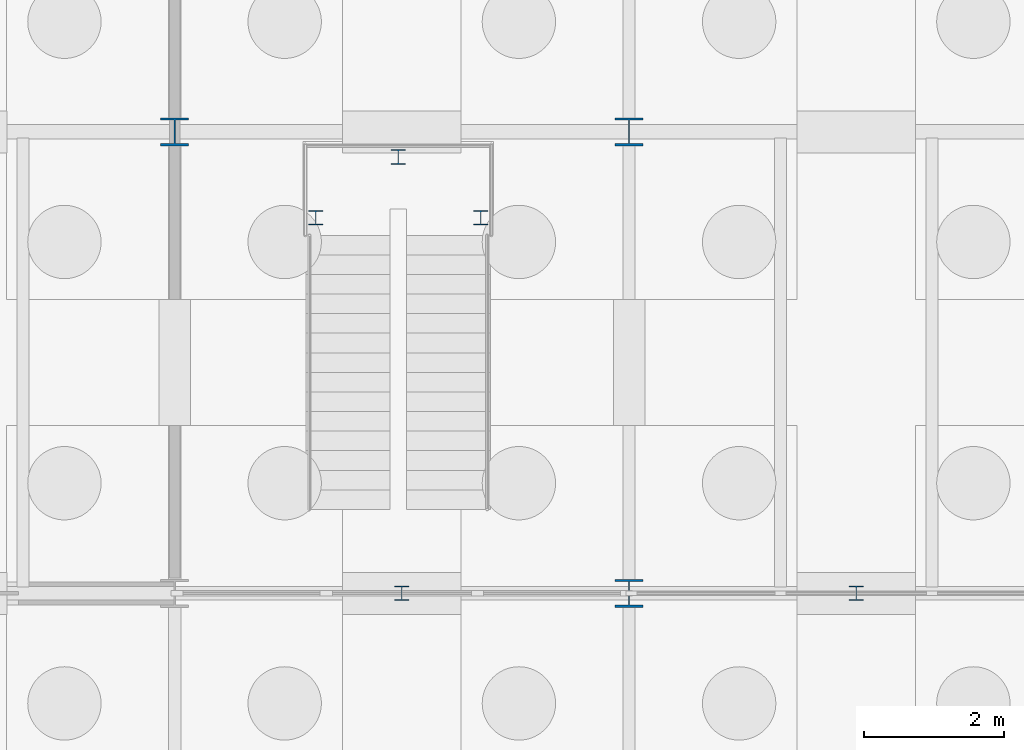
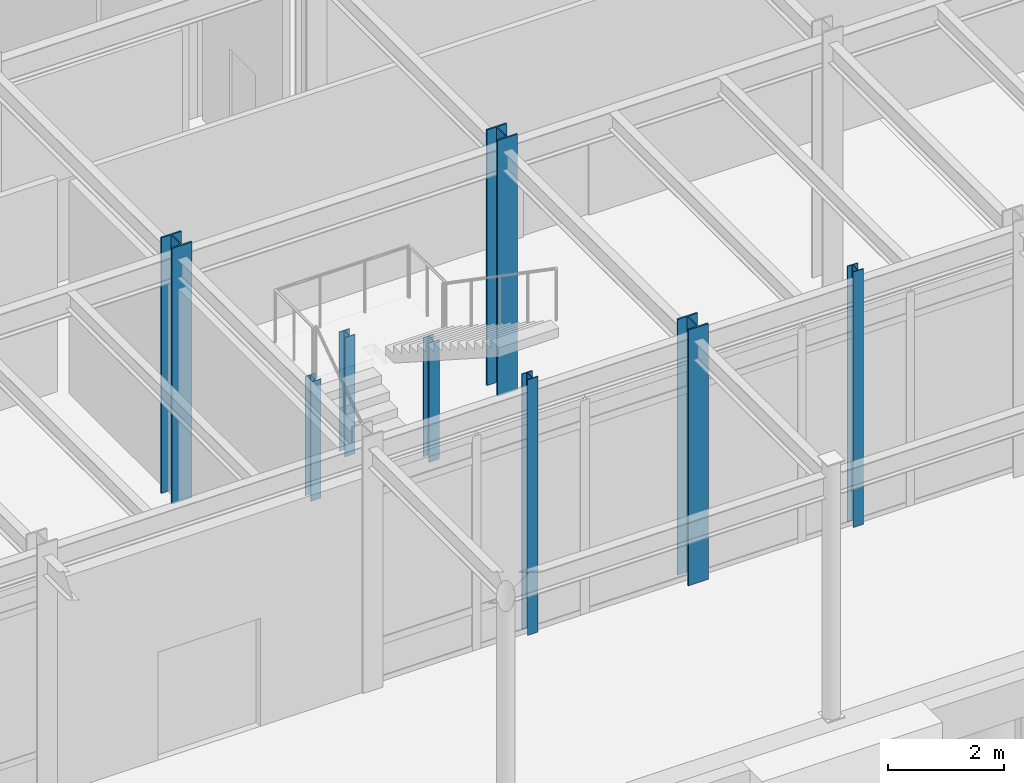
# One storey, part 16 of 82: 8 columns.
"""IFC4 building model written with IfcOpenShell, lengths in metres."""

import ifcopenshell
import ifcopenshell.guid

model = None  # the IFC model being written
_history = None  # IfcOwnerHistory: only IFC2X3 demands one
_inside = {}  # id of a spatial element -> (the spatial element, [elements in it])
_under = {}  # id of a project, library or spatial element -> (it, [spatial elements below it])
_declared = {}  # id of a project -> (the project, [libraries it declares])
_typed = {}  # id of a type object -> (the type object, [elements of that type])
_made_of = {}  # id of a material, layer set ... -> (it, [elements and type objects made of it])


def new_model(schema):
    """Start an empty IFC model of exactly this schema.

    Asked for "IFC4X3", IfcOpenShell would pick the latest addendum, in which some entities
    have other attributes; the version numbers below select the first issue.
    IFC2X3 requires an IfcOwnerHistory on every rooted entity: one is made here for all.
    """
    global model, _history
    if schema == "IFC4X3":
        model = ifcopenshell.file(schema_version=(4, 3, 0, 0))
    else:
        model = ifcopenshell.file(schema=schema)
    _inside.clear()
    _under.clear()
    _declared.clear()
    _typed.clear()
    _made_of.clear()
    _history = None
    if model.schema == "IFC2X3":
        org = make("IfcOrganization", Name="unknown")
        user = make(
            "IfcPersonAndOrganization",
            ThePerson=make("IfcPerson", FamilyName="unknown"),
            TheOrganization=org,
        )
        app = make(
            "IfcApplication",
            ApplicationDeveloper=org,
            Version="unknown",
            ApplicationFullName="unknown",
            ApplicationIdentifier="unknown",
        )
        _history = make(
            "IfcOwnerHistory",
            OwningUser=user,
            OwningApplication=app,
            ChangeAction="ADDED",
            CreationDate=0,
        )
    return model


def make(cls, **values):
    """One entity of the class cls with the attributes given. An attribute that is None is left unset."""
    return model.create_entity(
        cls, **{name: value for name, value in values.items() if value is not None}
    )


def rooted(cls, **values):
    """An entity with a GlobalId (a new one), such as an element, a storey or a relation."""
    return make(cls, GlobalId=ifcopenshell.guid.new(), OwnerHistory=_history, **values)


def si_unit(unit_type, name, prefix=None):
    """IfcSIUnit, for example si_unit("LENGTHUNIT", "METRE", prefix="MILLI")."""
    return make("IfcSIUnit", UnitType=unit_type, Prefix=prefix, Name=name)


def assignment(units):
    """IfcUnitAssignment: the units of a project."""
    return None if units is None else make("IfcUnitAssignment", Units=units)


def point(xyz):
    """IfcCartesianPoint."""
    return None if xyz is None else make("IfcCartesianPoint", Coordinates=xyz)


def direction(xyz):
    """IfcDirection."""
    return None if xyz is None else make("IfcDirection", DirectionRatios=xyz)


def frame(location, z_axis=None, x_axis=None):
    """IfcAxis2Placement3D, a coordinate frame: its origin and axes. An axis left out is left unset."""
    return make(
        "IfcAxis2Placement3D",
        Location=point(location),
        Axis=direction(z_axis),
        RefDirection=direction(x_axis),
    )


def frame_2d(location, x_axis=None):
    """IfcAxis2Placement2D, a coordinate frame in the plane: its origin and x axis."""
    return make(
        "IfcAxis2Placement2D", Location=point(location), RefDirection=direction(x_axis)
    )


def origin():
    """The frame at (0, 0, 0) with its axes left unset."""
    return frame((0.0, 0.0, 0.0))


def origin_2d():
    """The frame at (0, 0) in the plane with its x axis left unset."""
    return frame_2d((0.0, 0.0))


def place(relative_to, where):
    """IfcLocalPlacement: puts the frame where relative to a parent placement (None: the world)."""
    return make(
        "IfcLocalPlacement", PlacementRelTo=relative_to, RelativePlacement=where
    )


def context(
    kind, dimensions, precision=None, world=None, true_north=None, identifier=None
):
    """IfcGeometricRepresentationContext, for example the 3D "Model" context."""
    return make(
        "IfcGeometricRepresentationContext",
        ContextIdentifier=identifier,
        ContextType=kind,
        CoordinateSpaceDimension=dimensions,
        Precision=precision,
        WorldCoordinateSystem=world,
        TrueNorth=true_north,
    )


def subcontext(parent, identifier, kind, view, scale=None):
    """IfcGeometricRepresentationSubContext, for example "Body" below "Model"."""
    return make(
        "IfcGeometricRepresentationSubContext",
        ContextIdentifier=identifier,
        ContextType=kind,
        ParentContext=parent,
        TargetScale=scale,
        TargetView=view,
    )


def project(units=None, contexts=None):
    """IfcProject with its units and contexts."""
    return rooted(
        "IfcProject",
        Name="project",
        RepresentationContexts=contexts,
        UnitsInContext=assignment(units),
    )


def spatial(cls, under=None, at=None, **own):
    """A site, building, storey or space (cls), placed at a placement, below another one or the project."""
    s = rooted(cls, ObjectPlacement=at, **own)
    if under is not None:
        _under.setdefault(under.id(), (under, []))[1].append(s)
    return s


def profile(cls, at=None, kind="AREA", **sizes):
    """A parametric profile (cls). Its sizes go by their IFC names, for example OverallWidth=200.0."""
    return make(cls, ProfileType=kind, Position=at, **sizes)


def i_section(**sizes):
    """IfcIShapeProfileDef."""
    return profile("IfcIShapeProfileDef", **sizes)


def extrude(swept, where, along, depth):
    """IfcExtrudedAreaSolid: the profile swept, set in the frame where, extruded along a direction by depth."""
    return make(
        "IfcExtrudedAreaSolid",
        SweptArea=swept,
        Position=where,
        ExtrudedDirection=direction(along),
        Depth=depth,
    )


def shape(context_of_items, identifier, shape_type, items):
    """IfcShapeRepresentation: the items that make up one representation, for example the "Body"."""
    return make(
        "IfcShapeRepresentation",
        ContextOfItems=context_of_items,
        RepresentationIdentifier=identifier,
        RepresentationType=shape_type,
        Items=items,
    )


def material(Name=None, Category=None):
    """IfcMaterial."""
    return make("IfcMaterial", Name=Name, Category=Category)


def material_profile(
    of_material, cross_section, Name=None, Category=None, Priority=None
):
    """IfcMaterialProfile: a cross section and its material."""
    return make(
        "IfcMaterialProfile",
        Name=Name,
        Material=of_material,
        Profile=cross_section,
        Priority=Priority,
        Category=Category,
    )


def profile_set(profiles, Name=None, composite=None):
    """IfcMaterialProfileSet."""
    return make(
        "IfcMaterialProfileSet",
        Name=Name,
        MaterialProfiles=profiles,
        CompositeProfile=composite,
    )


def made_of(thing, what):
    """Note that an element or type object is made of a material, layer set ...; save() writes the relation."""
    if what is not None:
        _made_of.setdefault(what.id(), (what, []))[1].append(thing)
    return thing


def type_object(cls, material=None, **own):
    """A type object (cls), such as IfcWallType, which elements share."""
    return made_of(rooted(cls, **own), material)


def element(
    cls,
    number,
    at=None,
    inside=None,
    cuts=None,
    type_object=None,
    material=None,
    context=None,
    identifier="Body",
    shape_type=None,
    held_by="IfcProductDefinitionShape",
    body=None,
    shapes=None,
    **own,
):
    """One element of the class cls, such as IfcWall. Its Tag is "e" and its number.

    at: its placement. inside: the storey or other place that contains it. cuts: it is an
    opening in that element (IfcRelVoidsElement). A single representation is given by context,
    identifier, shape_type and body (its items); several are given by shapes. held_by: the class
    of the entity that holds the representations. save() writes the other relations.
    """
    e = rooted(cls, Tag="e%d" % number, ObjectPlacement=at, **own)
    if body is not None:
        shapes = [shape(context, identifier, shape_type, body)]
    if shapes is not None:
        e.Representation = make(held_by, Representations=shapes)
    if inside is not None:
        _inside.setdefault(inside.id(), (inside, []))[1].append(e)
    if cuts is not None:
        rooted(
            "IfcRelVoidsElement", RelatingBuildingElement=cuts, RelatedOpeningElement=e
        )
    if type_object is not None:
        _typed.setdefault(type_object.id(), (type_object, []))[1].append(e)
    return made_of(e, material)


def aggregate(whole, parts):
    """IfcRelAggregates: a whole, such as a stair, and the parts it consists of."""
    return rooted("IfcRelAggregates", RelatingObject=whole, RelatedObjects=parts)


def save(model, path):
    """Write the relations noted so far, then the file.

    IfcRelAggregates (storeys below a building ...), IfcRelContainedInSpatialStructure (elements
    in a storey), IfcRelDefinesByType, IfcRelAssociatesMaterial and IfcRelDeclares: one each for
    every whole, place, type object, material and project.
    """
    for whole, parts in _under.values():
        aggregate(whole, parts)
    for where, things in _inside.values():
        rooted(
            "IfcRelContainedInSpatialStructure",
            RelatedElements=things,
            RelatingStructure=where,
        )
    for kind, things in _typed.values():
        rooted("IfcRelDefinesByType", RelatedObjects=things, RelatingType=kind)
    for what, things in _made_of.values():
        rooted("IfcRelAssociatesMaterial", RelatedObjects=things, RelatingMaterial=what)
    for by, libraries in _declared.values():
        rooted("IfcRelDeclares", RelatingContext=by, RelatedDefinitions=libraries)
    model.write(path)


model = new_model("IFC4")

# Units and contexts
model_context = context("Model", 3, precision=1e-05, world=origin(), true_north=direction((0.0, 1.0)))
body_context = subcontext(model_context, "Body", "Model", "MODEL_VIEW")
ifc_project = project(units=[si_unit("LENGTHUNIT", "METRE"), si_unit("AREAUNIT", "SQUARE_METRE"), si_unit("VOLUMEUNIT", "CUBIC_METRE"), si_unit("PLANEANGLEUNIT", "RADIAN"), si_unit("MASSUNIT", "GRAM", prefix="KILO")], contexts=[model_context])

# Site, building, storey
site_placement = place(None, origin())
site = spatial("IfcSite", under=ifc_project, at=site_placement, CompositionType="ELEMENT")
building_placement = place(site_placement, origin())
building = spatial("IfcBuilding", under=site, at=building_placement, Name="Trelmorton Wharf Fire Station", CompositionType="ELEMENT")
storey_placement = place(building_placement, origin())
storey = spatial("IfcBuildingStorey", under=building, at=storey_placement, Name="L00", CompositionType="ELEMENT", Elevation=0.0)

# Columns
ifc_material = material(Name="Steel Grade 350", Category="steel")
ifc_material_profile_1 = material_profile(ifc_material, i_section(OverallWidth=0.205078125, OverallDepth=0.2099609375, WebThickness=0.00927734375, FlangeThickness=0.01416015625, FilletRadius=0.011474609375, at=origin_2d()), Name="200UC59.5")
ifc_profile_set_1 = profile_set([ifc_material_profile_1], Name="Steel Grade 350")
column_type_1 = type_object("IfcColumnType", Name="COL_200UC60", PredefinedType="COLUMN", material=ifc_profile_set_1)
for number, where, z_axis, x_axis, name in (
    (1, (119.02001953125, 13.169921875, 0.0), (0.0, 0.0, 1.0), (1.0, 0.0, 0.0), "COL-STS-04-1"),
    (2, (121.3798828125, 13.169921875, 0.0), (0.0, 0.0, 1.0), (1.0, 0.0, 0.0), "COL-STS-04-2"),
    (3, (120.199951171875, 14.0400390625, 0.0), (0.0, 0.0, 1.0), (1.0, 0.0, 0.0), "COL-STS-04-3"),
):
    element("IfcColumn", number, at=place(storey_placement, frame(where, z_axis=z_axis, x_axis=x_axis)), inside=storey, type_object=column_type_1, Name=name, PredefinedType="COLUMN", context=body_context, shape_type="SweptSolid", body=[
        extrude(i_section(OverallWidth=0.205078125, OverallDepth=0.2099609375, WebThickness=0.00927734375, FlangeThickness=0.01416015625, FilletRadius=0.011474609375, at=origin_2d()), origin(), (0.0, 0.0, 1.0), 2.52001953125),
    ])
ifc_material_profile_2 = material_profile(ifc_material, i_section(OverallWidth=0.39990234375, OverallDepth=0.39990234375, WebThickness=0.02001953125, FlangeThickness=0.031982421875, at=origin_2d()), Name="400WC270")
ifc_profile_set_2 = profile_set([ifc_material_profile_2], Name="Steel Grade 350")
column_type_2 = type_object("IfcColumnType", Name="COL_400WC270", PredefinedType="COLUMN", material=ifc_profile_set_2)
for number, where, z_axis, x_axis, name in (
    (4, (117.0, 14.39990234375, 0.0), (0.0, 0.0, 1.0), (1.0, 0.0, 0.0), "COL-L00-0168"),
    (5, (123.5, 7.800048828125, 0.0), (0.0, 0.0, 1.0), (1.0, 0.0, 0.0), "COL-L00-0183"),
    (6, (123.5, 14.39990234375, 0.0), (0.0, 0.0, 1.0), (1.0, 0.0, 0.0), "COL-L00-0184"),
):
    element("IfcColumn", number, at=place(storey_placement, frame(where, z_axis=z_axis, x_axis=x_axis)), inside=storey, type_object=column_type_2, Name=name, PredefinedType="COLUMN", context=body_context, shape_type="SweptSolid", body=[
        extrude(i_section(OverallWidth=0.39990234375, OverallDepth=0.39990234375, WebThickness=0.02001953125, FlangeThickness=0.031982421875, at=origin_2d()), origin(), (0.0, 0.0, 1.0), 5.39990234375),
    ])
ifc_material_profile_3 = material_profile(ifc_material, i_section(OverallWidth=0.205078125, OverallDepth=0.2099609375, WebThickness=0.00927734375, FlangeThickness=0.01416015625, FilletRadius=0.011474609375, at=origin_2d()), Name="200UC59.5")
ifc_profile_set_3 = profile_set([ifc_material_profile_3], Name="Steel Grade 350")
column_type_3 = type_object("IfcColumnType", Name="PIL_200UC60", PredefinedType="PILASTER", material=ifc_profile_set_3)
for number, where, z_axis, x_axis, name in (
    (7, (120.25, 7.800048828125, 0.0), (0.0, 0.0, 1.0), (1.0, 0.0, 0.0), "PIL-S-L00-004"),
    (8, (126.75, 7.800048828125, 0.0), (0.0, 0.0, 1.0), (1.0, 0.0, 0.0), "PIL-S-L00-012"),
):
    element("IfcColumn", number, at=place(storey_placement, frame(where, z_axis=z_axis, x_axis=x_axis)), inside=storey, type_object=column_type_3, Name=name, PredefinedType="PILASTER", context=body_context, shape_type="SweptSolid", body=[
        extrude(i_section(OverallWidth=0.205078125, OverallDepth=0.2099609375, WebThickness=0.00927734375, FlangeThickness=0.01416015625, FilletRadius=0.011474609375, at=origin_2d()), origin(), (0.0, 0.0, 1.0), 5.39990234375),
    ])

save(model, "model.ifc")
